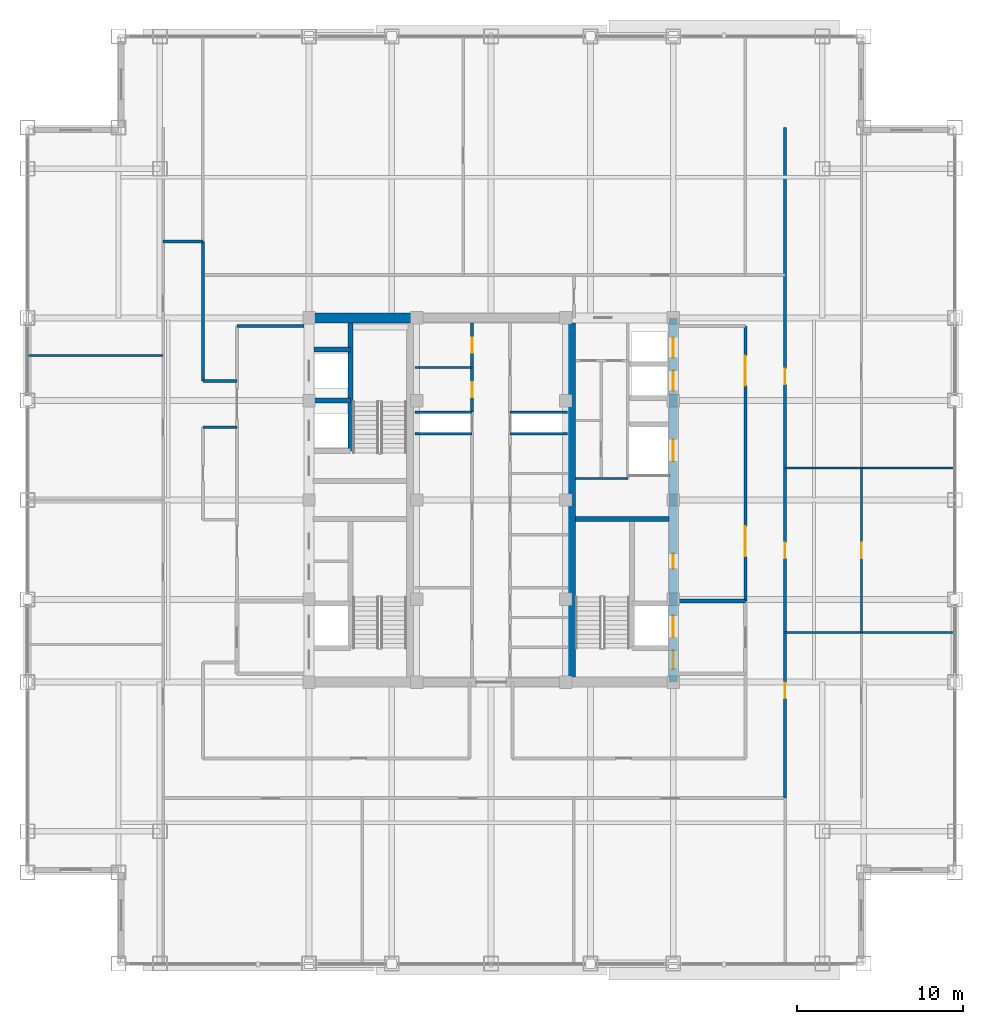
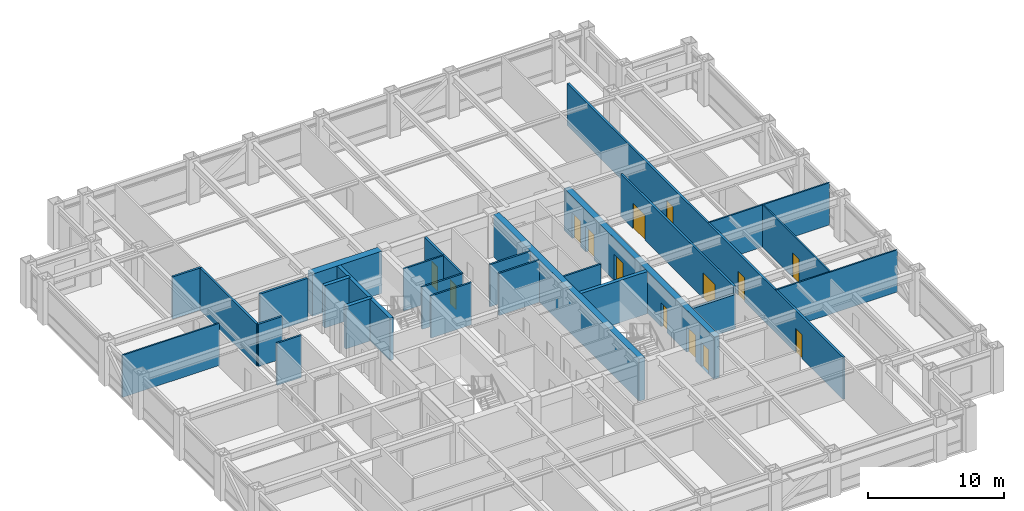
# One storey, part 20 of 27: 26 walls, 14 doors, 14 openings.
"""IFC4 building model written with IfcOpenShell, lengths in metres."""

from ifc_helpers import new_model, si_unit, direction, frame, frame_2d, origin, place, context, subcontext, project, spatial, rectangle, extrude, source, transform, mapped, material, layer, layer_set, type_object, element, fill, save


model = new_model("IFC4")

# Units and contexts
model_context = context("Model", 3, precision=1e-05, world=origin(), true_north=direction((0.0, 1.0)))
body_context = subcontext(model_context, "Body", "Model", "MODEL_VIEW")
ifc_project = project(units=[si_unit("LENGTHUNIT", "METRE"), si_unit("AREAUNIT", "SQUARE_METRE"), si_unit("VOLUMEUNIT", "CUBIC_METRE"), si_unit("PLANEANGLEUNIT", "RADIAN"), si_unit("MASSUNIT", "GRAM", prefix="KILO")], contexts=[model_context])

# Site, building, storey
site_placement = place(None, origin())
site = spatial("IfcSite", under=ifc_project, at=site_placement, CompositionType="ELEMENT")
building_placement = place(site_placement, origin())
building = spatial("IfcBuilding", under=site, at=building_placement, Name="Khorayat Bourse Tower", CompositionType="ELEMENT")
storey_placement = place(building_placement, frame((0.0, 0.0, 313.5)))
storey = spatial("IfcBuildingStorey", under=building, at=storey_placement, Name="L74", CompositionType="ELEMENT", Elevation=313.5)

# Wall, openings, doors
ifc_material_1 = material(Name="Concrete C52/65", Category="concrete")
ifc_layer_1 = layer(ifc_material_1, 0.5)
ifc_layer_set_1 = layer_set([ifc_layer_1], Name="Concrete C52/65")
wall_type_1 = type_object("IfcWallType", Name="WAL-CORE-500", PredefinedType="SHEAR", material=ifc_layer_set_1)
shared_shape_1 = source(origin(), body_context, "Body", "SweptSolid", [
    extrude(rectangle(XDim=22.0, YDim=0.5, at=frame_2d((11.0, 0.0))), origin(), (0.0, 0.0, 1.0), 3.780029296875),
])
wall_1_placement = place(storey_placement, frame((11.0, -11.0, 0.0), z_axis=(0.0, 0.0, 1.0), x_axis=(0.0, 1.0, 0.0)))
wall_1 = element("IfcWall", 1, at=wall_1_placement, inside=storey, type_object=wall_type_1, Name="L74 Core Shear Wall CORE-E", PredefinedType="SHEAR", context=body_context, shape_type="MappedRepresentation", body=[
    mapped(shared_shape_1, transform((0.0, 0.0, 0.0), scale=1.0)),
])
shared_shape_2 = source(origin(), body_context, "Body", "SweptSolid", [
    extrude(rectangle(XDim=1.10009765625, YDim=2.199951171875, at=frame_2d((0.550048828125, 1.10009765625))), frame((0.0, 0.260009765625, 0.0), z_axis=(0.0, -1.0, 0.0), x_axis=(1.0, 0.0, 0.0)), (0.0, 0.0, 1.0), 0.52001953125),
])
opening_1_placement = place(wall_1_placement, frame((0.800048828125, 0.0, 0.0)))
opening_1 = element("IfcOpeningElement", 2, at=opening_1_placement, cuts=wall_1, Name="Opening DI-01", PredefinedType="OPENING", context=body_context, shape_type="MappedRepresentation", body=[
    mapped(shared_shape_2, transform((0.0, 0.0, 0.0), scale=1.0)),
])
shared_shape_3 = source(origin(), body_context, "Body", "SweptSolid", [
    extrude(rectangle(XDim=0.89990234375, YDim=2.14990234375, at=frame_2d((0.449951171875, 1.074951171875))), frame((0.0, 0.260009765625, 0.0), z_axis=(0.0, -1.0, 0.0), x_axis=(1.0, 0.0, 0.0)), (0.0, 0.0, 1.0), 0.52001953125),
])
opening_2_placement = place(wall_1_placement, frame((6.85009765625, 0.0, 0.0)))
opening_2 = element("IfcOpeningElement", 3, at=opening_2_placement, cuts=wall_1, Name="Opening DI-06", PredefinedType="OPENING", context=body_context, shape_type="MappedRepresentation", body=[
    mapped(shared_shape_3, transform((0.0, 0.0, 0.0), scale=1.0)),
])
shared_shape_4 = source(origin(), body_context, "Body", "SweptSolid", [
    extrude(rectangle(XDim=1.199951171875, YDim=2.300048828125, at=frame_2d((0.60009765625, 1.14990234375))), frame((0.0, 0.260009765625, 0.0), z_axis=(0.0, -1.0, 0.0), x_axis=(1.0, 0.0, 0.0)), (0.0, 0.0, 1.0), 0.52001953125),
])
opening_3_placement = place(wall_1_placement, frame((17.60009765625, 0.0, 0.0)))
opening_3 = element("IfcOpeningElement", 4, at=opening_3_placement, cuts=wall_1, Name="Opening LD-01", PredefinedType="OPENING", context=body_context, shape_type="MappedRepresentation", body=[
    mapped(shared_shape_4, transform((0.0, 0.0, 0.0), scale=1.0)),
])
opening_4_placement = place(wall_1_placement, frame((19.60009765625, 0.0, 0.0)))
opening_4 = element("IfcOpeningElement", 5, at=opening_4_placement, cuts=wall_1, Name="Opening LD-01", PredefinedType="OPENING", context=body_context, shape_type="MappedRepresentation", body=[
    mapped(shared_shape_4, transform((0.0, 0.0, 0.0), scale=1.0)),
])
shared_shape_5 = source(origin(), body_context, "Body", "SweptSolid", [
    extrude(rectangle(XDim=1.300048828125, YDim=2.300048828125, at=frame_2d((0.64990234375, 1.14990234375))), frame((0.0, 0.260009765625, 0.0), z_axis=(0.0, -1.0, 0.0), x_axis=(1.0, 0.0, 0.0)), (0.0, 0.0, 1.0), 0.52001953125),
])
opening_5_placement = place(wall_1_placement, frame((2.699951171875, 0.0, 0.0)))
opening_5 = element("IfcOpeningElement", 6, at=opening_5_placement, cuts=wall_1, Name="Opening LD-02", PredefinedType="OPENING", context=body_context, shape_type="MappedRepresentation", body=[
    mapped(shared_shape_5, transform((0.0, 0.0, 0.0), scale=1.0)),
])
opening_6_placement = place(wall_1_placement, frame((13.35009765625, 0.0, 0.0)))
opening_6 = element("IfcOpeningElement", 7, at=opening_6_placement, cuts=wall_1, Name="Opening LD-02", PredefinedType="OPENING", context=body_context, shape_type="MappedRepresentation", body=[
    mapped(shared_shape_5, transform((0.0, 0.0, 0.0), scale=1.0)),
])
ifc_material_2 = material(Name="Fire-rated steel acoustic leaf", Category="steel")
door_type_1 = type_object("IfcDoorType", Name="DR-INT-STAIR-1100", OperationType="NOTDEFINED", PredefinedType="DOOR", material=ifc_material_2)
shared_shape_6 = source(origin(), body_context, "Body", "SweptSolid", [
    extrude(rectangle(XDim=1.10009765625, YDim=2.199951171875, at=frame_2d((0.550048828125, 1.10009765625))), frame((0.0, 0.02490234375, 0.0), z_axis=(0.0, -1.0, 0.0), x_axis=(1.0, 0.0, 0.0)), (0.0, 0.0, 1.0), 0.050048828125),
])
door_1_placement = place(opening_1_placement, origin())
door_1 = element("IfcDoor", 8, at=door_1_placement, inside=storey, type_object=door_type_1, Name="L74 Exit Stair 3 Door", OperationType="SINGLE_SWING_LEFT", OverallHeight=2.199951171875, OverallWidth=1.10009765625, PredefinedType="DOOR", context=body_context, shape_type="MappedRepresentation", body=[
    mapped(shared_shape_6, transform((0.0, 0.0, 0.0), scale=1.0)),
])
fill(opening_1, door_1)
ifc_material_3 = material(Name="Moisture-resistant laminate washroom door")
door_type_2 = type_object("IfcDoorType", Name="DR-INT-WC-900", OperationType="NOTDEFINED", PredefinedType="DOOR", material=ifc_material_3)
shared_shape_7 = source(origin(), body_context, "Body", "SweptSolid", [
    extrude(rectangle(XDim=0.89990234375, YDim=2.14990234375, at=frame_2d((0.449951171875, 1.074951171875))), frame((0.0, 0.02490234375, 0.0), z_axis=(0.0, -1.0, 0.0), x_axis=(1.0, 0.0, 0.0)), (0.0, 0.0, 1.0), 0.050048828125),
])
door_2_placement = place(opening_2_placement, origin())
door_2 = element("IfcDoor", 9, at=door_2_placement, inside=storey, type_object=door_type_2, Name="L74 Telecom Server Plant Room Door", OperationType="SINGLE_SWING_LEFT", OverallHeight=2.14990234375, OverallWidth=0.89990234375, PredefinedType="DOOR", context=body_context, shape_type="MappedRepresentation", body=[
    mapped(shared_shape_7, transform((0.0, 0.0, 0.0), scale=1.0)),
])
fill(opening_2, door_2)
ifc_material_4 = material(Name="Brushed bronze stainless-steel sliding door", Category="steel")
door_type_3 = type_object("IfcDoorType", Name="DR-LIFT-PASS-1200", OperationType="NOTDEFINED", PredefinedType="DOOR", material=ifc_material_4)
shared_shape_8 = source(origin(), body_context, "Body", "SweptSolid", [
    extrude(rectangle(XDim=1.199951171875, YDim=2.300048828125, at=frame_2d((0.60009765625, 1.14990234375))), frame((0.0, 0.02490234375, 0.0), z_axis=(0.0, -1.0, 0.0), x_axis=(1.0, 0.0, 0.0)), (0.0, 0.0, 1.0), 0.050048828125),
])
door_3_placement = place(opening_3_placement, origin())
door_3 = element("IfcDoor", 10, at=door_3_placement, inside=storey, type_object=door_type_3, Name="L74 Lift PL-H3 Sliding Landing Door", OperationType="SLIDING_TO_LEFT", OverallHeight=2.300048828125, OverallWidth=1.199951171875, PredefinedType="DOOR", context=body_context, shape_type="MappedRepresentation", body=[
    mapped(shared_shape_8, transform((0.0, 0.0, 0.0), scale=1.0)),
])
fill(opening_3, door_3)
door_4_placement = place(opening_4_placement, origin())
door_4 = element("IfcDoor", 11, at=door_4_placement, inside=storey, type_object=door_type_3, Name="L74 Lift PL-H4 Sliding Landing Door", OperationType="SLIDING_TO_LEFT", OverallHeight=2.300048828125, OverallWidth=1.199951171875, PredefinedType="DOOR", context=body_context, shape_type="MappedRepresentation", body=[
    mapped(shared_shape_8, transform((0.0, 0.0, 0.0), scale=1.0)),
])
fill(opening_4, door_4)
ifc_material_5 = material(Name="Fire-rated stainless-steel sliding landing door", Category="steel")
door_type_4 = type_object("IfcDoorType", Name="DR-LIFT-FF-1300", OperationType="NOTDEFINED", PredefinedType="DOOR", material=ifc_material_5)
shared_shape_9 = source(origin(), body_context, "Body", "SweptSolid", [
    extrude(rectangle(XDim=1.300048828125, YDim=2.300048828125, at=frame_2d((0.64990234375, 1.14990234375))), frame((0.0, 0.02490234375, 0.0), z_axis=(0.0, -1.0, 0.0), x_axis=(1.0, 0.0, 0.0)), (0.0, 0.0, 1.0), 0.050048828125),
])
door_5_placement = place(opening_5_placement, origin())
door_5 = element("IfcDoor", 12, at=door_5_placement, inside=storey, type_object=door_type_4, Name="L74 Lift FFL-02 Sliding Landing Door", OperationType="SLIDING_TO_LEFT", OverallHeight=2.300048828125, OverallWidth=1.300048828125, PredefinedType="DOOR", context=body_context, shape_type="MappedRepresentation", body=[
    mapped(shared_shape_9, transform((0.0, 0.0, 0.0), scale=1.0)),
])
fill(opening_5, door_5)
door_6_placement = place(opening_6_placement, origin())
door_6 = element("IfcDoor", 13, at=door_6_placement, inside=storey, type_object=door_type_4, Name="L74 Lift SVL-01 Sliding Landing Door", OperationType="SLIDING_TO_LEFT", OverallHeight=2.300048828125, OverallWidth=1.300048828125, PredefinedType="DOOR", context=body_context, shape_type="MappedRepresentation", body=[
    mapped(shared_shape_9, transform((0.0, 0.0, 0.0), scale=1.0)),
])
fill(opening_6, door_6)

# Walls
shared_shape_10 = source(origin(), body_context, "Body", "SweptSolid", [
    extrude(rectangle(XDim=21.39990234375, YDim=0.5, at=frame_2d((10.699951171875, 0.0))), origin(), (0.0, 0.0, 1.0), 3.780029296875),
])
wall_2_placement = place(storey_placement, frame((4.85009765625, -10.699951171875, 0.0), z_axis=(0.0, 0.0, 1.0), x_axis=(0.0, 1.0, 0.0)))
element("IfcWall", 14, at=wall_2_placement, inside=storey, type_object=wall_type_1, Name="L74 Core Shear Wall PIER-E", PredefinedType="SHEAR", context=body_context, shape_type="MappedRepresentation", body=[
    mapped(shared_shape_10, transform((0.0, 0.0, 0.0), scale=1.0)),
])
ifc_material_6 = material(Name="Concrete C60/75", Category="concrete")
ifc_layer_2 = layer(ifc_material_6, 0.60009765625)
ifc_layer_set_2 = layer_set([ifc_layer_2], Name="Concrete C60/75")
wall_type_2 = type_object("IfcWallType", Name="WAL-CORE-600", PredefinedType="SHEAR", material=ifc_layer_set_2)
shared_shape_11 = source(origin(), body_context, "Body", "SweptSolid", [
    extrude(rectangle(XDim=5.89990234375, YDim=0.60009765625, at=frame_2d((2.949951171875, 0.0))), origin(), (0.0, 0.0, 1.0), 3.780029296875),
])
wall_3_placement = place(storey_placement, frame((-10.75, 11.0, 0.0), z_axis=(0.0, 0.0, 1.0), x_axis=(1.0, 0.0, 0.0)))
element("IfcWall", 15, at=wall_3_placement, inside=storey, type_object=wall_type_2, Name="L74 Core Shear Wall PIER-WN", PredefinedType="SHEAR", context=body_context, shape_type="MappedRepresentation", body=[
    mapped(shared_shape_11, transform((0.0, 0.0, 0.0), scale=1.0)),
])
ifc_material_7 = material(Name="Concrete C50/60", Category="concrete")
ifc_layer_3 = layer(ifc_material_7, 0.300048828125)
ifc_layer_set_3 = layer_set([ifc_layer_3], Name="Concrete C50/60")
wall_type_3 = type_object("IfcWallType", Name="WAL-SHAFT-300", PredefinedType="SHEAR", material=ifc_layer_set_3)
shared_shape_12 = source(origin(), body_context, "Body", "SweptSolid", [
    extrude(rectangle(XDim=5.64990234375, YDim=0.300048828125, at=frame_2d((2.824951171875, 0.0))), origin(), (0.0, 0.0, 1.0), 3.780029296875),
])
wall_4_placement = place(storey_placement, frame((5.10009765625, -1.14990234375, 0.0), z_axis=(0.0, 0.0, 1.0), x_axis=(1.0, 0.0, 0.0)))
element("IfcWall", 16, at=wall_4_placement, inside=storey, type_object=wall_type_3, Name="L74 Core Shear Wall ST3-DIV", PredefinedType="SHEAR", context=body_context, shape_type="MappedRepresentation", body=[
    mapped(shared_shape_12, transform((0.0, 0.0, 0.0), scale=1.0)),
])
ifc_material_8 = material(Name="Aerated concrete blockwork", Category="masonry")
ifc_layer_4 = layer(ifc_material_8, 0.219970703125)
ifc_layer_set_4 = layer_set([ifc_layer_4], Name="Aerated concrete blockwork")
wall_type_4 = type_object("IfcWallType", Name="WAL-PART-FF-220", PredefinedType="PARTITIONING", material=ifc_layer_set_4)
shared_shape_13 = source(origin(), body_context, "Body", "SweptSolid", [
    extrude(rectangle(XDim=4.050048828125, YDim=0.219970703125, at=frame_2d((2.02490234375, 0.0))), origin(), (0.0, 0.0, 1.0), 3.0849609375),
])
wall_5_placement = place(storey_placement, frame((11.300048828125, -6.10009765625, 0.0), z_axis=(0.0, 0.0, 1.0), x_axis=(1.0, 0.0, 0.0)))
element("IfcWall", 17, at=wall_5_placement, inside=storey, type_object=wall_type_4, Name="L74 Partition WAL-L74-FFLE-N", PredefinedType="PARTITIONING", context=body_context, shape_type="MappedRepresentation", body=[
    mapped(shared_shape_13, transform((0.0, 0.0, 0.0), scale=1.0)),
])
shared_shape_14 = source(origin(), body_context, "Body", "SweptSolid", [
    extrude(rectangle(XDim=2.199951171875, YDim=0.300048828125, at=frame_2d((1.10009765625, 0.0))), origin(), (0.0, 0.0, 1.0), 3.780029296875),
])
for number, where, z_axis, x_axis, name in (
    (18, (-10.699951171875, 6.0, 0.0), (0.0, 0.0, 1.0), (1.0, 0.0, 0.0), "L74 Partition WAL-L74-WPIER-H12"),
    (19, (-10.699951171875, 9.10009765625, 0.0), (0.0, 0.0, 1.0), (1.0, 0.0, 0.0), "L74 Partition WAL-L74-WPIER-H2N"),
):
    element("IfcWall", number, at=place(storey_placement, frame(where, z_axis=z_axis, x_axis=x_axis)), inside=storey, type_object=wall_type_3, Name=name, PredefinedType="SHEAR", context=body_context, shape_type="MappedRepresentation", body=[
        mapped(shared_shape_14, transform((0.0, 0.0, 0.0), scale=1.0)),
    ])
shared_shape_15 = source(origin(), body_context, "Body", "SweptSolid", [
    extrude(rectangle(XDim=7.75, YDim=0.300048828125, at=frame_2d((3.875, 0.0))), origin(), (0.0, 0.0, 1.0), 3.780029296875),
])
wall_6_placement = place(storey_placement, frame((-8.5, 2.949951171875, 0.0), z_axis=(0.0, 0.0, 1.0), x_axis=(0.0, 1.0, 0.0)))
element("IfcWall", 20, at=wall_6_placement, inside=storey, type_object=wall_type_3, Name="L74 Partition WAL-L74-WPIER-ST2S", PredefinedType="SHEAR", context=body_context, shape_type="MappedRepresentation", body=[
    mapped(shared_shape_15, transform((0.0, 0.0, 0.0), scale=1.0)),
])
ifc_material_9 = material(Name="Moisture-resistant masonry partition", Category="masonry")
ifc_layer_5 = layer(ifc_material_9, 0.139892578125)
ifc_layer_set_5 = layer_set([ifc_layer_5], Name="Moisture-resistant masonry partition")
wall_type_5 = type_object("IfcWallType", Name="WAL-PART-WET-140", PredefinedType="PARTITIONING", material=ifc_layer_set_5)
shared_shape_16 = source(origin(), body_context, "Body", "SweptSolid", [
    extrude(rectangle(XDim=3.14990234375, YDim=0.139892578125, at=frame_2d((1.574951171875, 0.0))), origin(), (0.0, 0.0, 1.0), 3.780029296875),
])
wall_7_placement = place(storey_placement, frame((5.10009765625, 1.300048828125, 0.0), z_axis=(0.0, 0.0, 1.0), x_axis=(1.0, 0.0, 0.0)))
element("IfcWall", 21, at=wall_7_placement, inside=storey, type_object=wall_type_5, Name="L74 Partition WAL-L74-ECORE-S", PredefinedType="PARTITIONING", context=body_context, shape_type="MappedRepresentation", body=[
    mapped(shared_shape_16, transform((0.0, 0.0, 0.0), scale=1.0)),
])
ifc_material_10 = material(Name="Gypsum plasterboard acoustic stud wall")
ifc_layer_6 = layer(ifc_material_10, 0.179931640625)
ifc_layer_set_6 = layer_set([ifc_layer_6], Name="Gypsum plasterboard acoustic stud wall")
wall_type_6 = type_object("IfcWallType", Name="WAL-PART-CORR-180", PredefinedType="PARTITIONING", material=ifc_layer_set_6)
shared_shape_17 = source(origin(), body_context, "Body", "SweptSolid", [
    extrude(rectangle(XDim=4.050048828125, YDim=0.179931640625, at=frame_2d((2.02490234375, 0.0))), origin(), (0.0, 0.0, 1.0), 3.780029296875),
])
wall_8_placement = place(storey_placement, frame((-15.35009765625, 10.5, 0.0), z_axis=(0.0, 0.0, 1.0), x_axis=(1.0, 0.0, 0.0)))
element("IfcWall", 22, at=wall_8_placement, inside=storey, type_object=wall_type_6, Name="L74 Partition WAL-L74-WLOB-N", PredefinedType="PARTITIONING", context=body_context, shape_type="MappedRepresentation", body=[
    mapped(shared_shape_17, transform((0.0, 0.0, 0.0), scale=1.0)),
])

# Wall, openings, doors
shared_shape_18 = source(origin(), body_context, "Body", "SweptSolid", [
    extrude(rectangle(XDim=16.60009765625, YDim=0.179931640625, at=frame_2d((8.300048828125, 0.0))), origin(), (0.0, 0.0, 1.0), 3.780029296875),
])
wall_9_placement = place(storey_placement, frame((15.35009765625, -6.10009765625, 0.0), z_axis=(0.0, 0.0, 1.0), x_axis=(0.0, 1.0, 0.0)))
wall_9 = element("IfcWall", 23, at=wall_9_placement, inside=storey, type_object=wall_type_6, Name="L74 Partition WAL-L74-ELOB-E", PredefinedType="PARTITIONING", context=body_context, shape_type="MappedRepresentation", body=[
    mapped(shared_shape_18, transform((0.0, 0.0, 0.0), scale=1.0)),
])
shared_shape_19 = source(origin(), body_context, "Body", "SweptSolid", [
    extrude(rectangle(XDim=1.800048828125, YDim=2.25, at=frame_2d((0.89990234375, 1.125))), frame((0.0, 0.099853515625, 0.0), z_axis=(0.0, -1.0, 0.0), x_axis=(1.0, 0.0, 0.0)), (0.0, 0.0, 1.0), 0.199951171875),
])
opening_7_placement = place(wall_9_placement, frame((2.699951171875, 0.0, 0.0)))
opening_7 = element("IfcOpeningElement", 24, at=opening_7_placement, cuts=wall_9, Name="Opening DI-03", PredefinedType="OPENING", context=body_context, shape_type="MappedRepresentation", body=[
    mapped(shared_shape_19, transform((0.0, 0.0, 0.0), scale=1.0)),
])
opening_8_placement = place(wall_9_placement, frame((13.0, 0.0, 0.0)))
opening_8 = element("IfcOpeningElement", 25, at=opening_8_placement, cuts=wall_9, Name="Opening DI-03", PredefinedType="OPENING", context=body_context, shape_type="MappedRepresentation", body=[
    mapped(shared_shape_19, transform((0.0, 0.0, 0.0), scale=1.0)),
])
ifc_material_11 = material(Name="Fire-rated hardwood vision-panel double leaf", Category="wood")
door_type_5 = type_object("IfcDoorType", Name="DR-INT-CORR-1800", OperationType="NOTDEFINED", PredefinedType="DOOR", material=ifc_material_11)
shared_shape_20 = source(origin(), body_context, "Body", "SweptSolid", [
    extrude(rectangle(XDim=1.800048828125, YDim=2.25, at=frame_2d((0.89990234375, 1.125))), frame((0.0, 0.02490234375, 0.0), z_axis=(0.0, -1.0, 0.0), x_axis=(1.0, 0.0, 0.0)), (0.0, 0.0, 1.0), 0.050048828125),
])
door_7_placement = place(opening_7_placement, origin())
door_7 = element("IfcDoor", 26, at=door_7_placement, inside=storey, type_object=door_type_5, Name="L74 East Core Lobby South Door", OperationType="SINGLE_SWING_RIGHT", OverallHeight=2.25, OverallWidth=1.800048828125, PredefinedType="DOOR", context=body_context, shape_type="MappedRepresentation", body=[
    mapped(shared_shape_20, transform((0.0, 0.0, 0.0), scale=1.0)),
])
fill(opening_7, door_7)
door_8_placement = place(opening_8_placement, origin())
door_8 = element("IfcDoor", 27, at=door_8_placement, inside=storey, type_object=door_type_5, Name="L74 East Core Lobby North Door", OperationType="SINGLE_SWING_LEFT", OverallHeight=2.25, OverallWidth=1.800048828125, PredefinedType="DOOR", context=body_context, shape_type="MappedRepresentation", body=[
    mapped(shared_shape_20, transform((0.0, 0.0, 0.0), scale=1.0)),
])
fill(opening_8, door_8)

# Walls
ifc_material_12 = material(Name="Gypsum plasterboard twin-frame partition")
ifc_layer_7 = layer(ifc_material_12, 0.14990234375)
ifc_layer_set_7 = layer_set([ifc_layer_7], Name="Gypsum plasterboard twin-frame partition")
wall_type_7 = type_object("IfcWallType", Name="WAL-PART-SUITE-150", PredefinedType="PARTITIONING", material=ifc_layer_set_7)
shared_shape_21 = source(origin(), body_context, "Body", "SweptSolid", [
    extrude(rectangle(XDim=3.4501953125, YDim=0.14990234375, at=frame_2d((1.72509765625, 0.0))), origin(), (0.0, 0.0, 1.0), 3.780029296875),
])
for number, where, z_axis, x_axis, name in (
    (28, (-4.60009765625, 4.0, 0.0), (0.0, 0.0, 1.0), (1.0, 0.0, 0.0), "L74 Partition WAL-L74-CRSW-S"),
    (29, (1.14990234375, 4.0, 0.0), (0.0, 0.0, 1.0), (1.0, 0.0, 0.0), "L74 Partition WAL-L74-CRSE-S"),
    (30, (-4.60009765625, 5.300048828125, 0.0), (0.0, 0.0, 1.0), (1.0, 0.0, 0.0), "L74 Partition WAL-L74-FB2-SW"),
    (31, (1.14990234375, 5.300048828125, 0.0), (0.0, 0.0, 1.0), (1.0, 0.0, 0.0), "L74 Partition WAL-L74-FB2-SE"),
):
    element("IfcWall", number, at=place(storey_placement, frame(where, z_axis=z_axis, x_axis=x_axis)), inside=storey, type_object=wall_type_7, Name=name, PredefinedType="PARTITIONING", context=body_context, shape_type="MappedRepresentation", body=[
        mapped(shared_shape_21, transform((0.0, 0.0, 0.0), scale=1.0)),
    ])

# Wall, openings, doors
shared_shape_22 = source(origin(), body_context, "Body", "SweptSolid", [
    extrude(rectangle(XDim=5.39990234375, YDim=0.179931640625, at=frame_2d((2.699951171875, 0.0))), origin(), (0.0, 0.0, 1.0), 3.780029296875),
])
wall_10_placement = place(storey_placement, frame((-1.14990234375, 5.300048828125, 0.0), z_axis=(0.0, 0.0, 1.0), x_axis=(0.0, 1.0, 0.0)))
wall_10 = element("IfcWall", 32, at=wall_10_placement, inside=storey, type_object=wall_type_6, Name="L74 Partition WAL-L74-FB2W-L", PredefinedType="PARTITIONING", context=body_context, shape_type="MappedRepresentation", body=[
    mapped(shared_shape_22, transform((0.0, 0.0, 0.0), scale=1.0)),
])
shared_shape_23 = source(origin(), body_context, "Body", "SweptSolid", [
    extrude(rectangle(XDim=0.89990234375, YDim=2.14990234375, at=frame_2d((0.449951171875, 1.074951171875))), frame((0.0, 0.099853515625, 0.0), z_axis=(0.0, -1.0, 0.0), x_axis=(1.0, 0.0, 0.0)), (0.0, 0.0, 1.0), 0.199951171875),
])
opening_9_placement = place(wall_10_placement, frame((0.89990234375, 0.0, 0.0)))
opening_9 = element("IfcOpeningElement", 33, at=opening_9_placement, cuts=wall_10, Name="Opening DI-06", PredefinedType="OPENING", context=body_context, shape_type="MappedRepresentation", body=[
    mapped(shared_shape_23, transform((0.0, 0.0, 0.0), scale=1.0)),
])
opening_10_placement = place(wall_10_placement, frame((3.60009765625, 0.0, 0.0)))
opening_10 = element("IfcOpeningElement", 34, at=opening_10_placement, cuts=wall_10, Name="Opening DI-06", PredefinedType="OPENING", context=body_context, shape_type="MappedRepresentation", body=[
    mapped(shared_shape_23, transform((0.0, 0.0, 0.0), scale=1.0)),
])
door_9_placement = place(opening_9_placement, origin())
door_9 = element("IfcDoor", 35, at=door_9_placement, inside=storey, type_object=door_type_2, Name="L74 BMS Server Plant Room Door", OperationType="SINGLE_SWING_RIGHT", OverallHeight=2.14990234375, OverallWidth=0.89990234375, PredefinedType="DOOR", context=body_context, shape_type="MappedRepresentation", body=[
    mapped(shared_shape_7, transform((0.0, 0.0, 0.0), scale=1.0)),
])
fill(opening_9, door_9)
door_10_placement = place(opening_10_placement, origin())
door_10 = element("IfcDoor", 36, at=door_10_placement, inside=storey, type_object=door_type_2, Name="L74 Executive Supply Store Door", OperationType="SINGLE_SWING_LEFT", OverallHeight=2.14990234375, OverallWidth=0.89990234375, PredefinedType="DOOR", context=body_context, shape_type="MappedRepresentation", body=[
    mapped(shared_shape_7, transform((0.0, 0.0, 0.0), scale=1.0)),
])
fill(opening_10, door_10)

# Walls
shared_shape_24 = source(origin(), body_context, "Body", "SweptSolid", [
    extrude(rectangle(XDim=3.4501953125, YDim=0.139892578125, at=frame_2d((1.72509765625, 0.0))), origin(), (0.0, 0.0, 1.0), 3.780029296875),
])
wall_11_placement = place(storey_placement, frame((-4.60009765625, 8.0, 0.0), z_axis=(0.0, 0.0, 1.0), x_axis=(1.0, 0.0, 0.0)))
element("IfcWall", 37, at=wall_11_placement, inside=storey, type_object=wall_type_5, Name="L74 Partition WAL-L74-FB2W-D1", PredefinedType="PARTITIONING", context=body_context, shape_type="MappedRepresentation", body=[
    mapped(shared_shape_24, transform((0.0, 0.0, 0.0), scale=1.0)),
])
shared_shape_25 = source(origin(), body_context, "Body", "SweptSolid", [
    extrude(rectangle(XDim=2.0498046875, YDim=0.14990234375, at=frame_2d((1.02490234375, 0.0))), origin(), (0.0, 0.0, 1.0), 3.780029296875),
])
wall_12_placement = place(storey_placement, frame((-17.39990234375, 4.39990234375, 0.0), z_axis=(0.0, 0.0, 1.0), x_axis=(1.0, 0.0, 0.0)))
element("IfcWall", 38, at=wall_12_placement, inside=storey, type_object=wall_type_7, Name="L74 Partition WAL-L74-PKWM-N", PredefinedType="PARTITIONING", context=body_context, shape_type="MappedRepresentation", body=[
    mapped(shared_shape_25, transform((0.0, 0.0, 0.0), scale=1.0)),
])
shared_shape_26 = source(origin(), body_context, "Body", "SweptSolid", [
    extrude(rectangle(XDim=2.0498046875, YDim=0.179931640625, at=frame_2d((1.02490234375, 0.0))), origin(), (0.0, 0.0, 1.0), 3.780029296875),
])
wall_13_placement = place(storey_placement, frame((-17.39990234375, 7.199951171875, 0.0), z_axis=(0.0, 0.0, 1.0), x_axis=(1.0, 0.0, 0.0)))
element("IfcWall", 39, at=wall_13_placement, inside=storey, type_object=wall_type_6, Name="L74 Partition WAL-L74-THRWN-T", PredefinedType="PARTITIONING", context=body_context, shape_type="MappedRepresentation", body=[
    mapped(shared_shape_26, transform((0.0, 0.0, 0.0), scale=1.0)),
])
shared_shape_27 = source(origin(), body_context, "Body", "SweptSolid", [
    extrude(rectangle(XDim=8.400146484375, YDim=0.179931640625, at=frame_2d((4.2001953125, 0.0))), origin(), (0.0, 0.0, 1.0), 3.780029296875),
])
wall_14_placement = place(storey_placement, frame((-17.39990234375, 7.199951171875, 0.0), z_axis=(0.0, 0.0, 1.0), x_axis=(0.0, 1.0, 0.0)))
element("IfcWall", 40, at=wall_14_placement, inside=storey, type_object=wall_type_6, Name="L74 Partition WAL-L74-THRWN-N", PredefinedType="PARTITIONING", context=body_context, shape_type="MappedRepresentation", body=[
    mapped(shared_shape_27, transform((0.0, 0.0, 0.0), scale=1.0)),
])
shared_shape_28 = source(origin(), body_context, "Body", "SweptSolid", [
    extrude(rectangle(XDim=2.400146484375, YDim=0.179931640625, at=frame_2d((1.2001953125, 0.0))), origin(), (0.0, 0.0, 1.0), 3.780029296875),
])
wall_15_placement = place(storey_placement, frame((-19.800048828125, 15.60009765625, 0.0), z_axis=(0.0, 0.0, 1.0), x_axis=(1.0, 0.0, 0.0)))
element("IfcWall", 41, at=wall_15_placement, inside=storey, type_object=wall_type_6, Name="L74 Partition WAL-L74-GALW-N", PredefinedType="PARTITIONING", context=body_context, shape_type="MappedRepresentation", body=[
    mapped(shared_shape_28, transform((0.0, 0.0, 0.0), scale=1.0)),
])
ifc_material_13 = material(Name="Gypsum plasterboard partition")
ifc_layer_8 = layer(ifc_material_13, 0.125)
ifc_layer_set_8 = layer_set([ifc_layer_8], Name="Gypsum plasterboard partition")
wall_type_8 = type_object("IfcWallType", Name="WAL-PART-ROOM-125", PredefinedType="PARTITIONING", material=ifc_layer_set_8)
shared_shape_29 = source(origin(), body_context, "Body", "SweptSolid", [
    extrude(rectangle(XDim=8.199951171875, YDim=0.125, at=frame_2d((4.10009765625, 0.0))), origin(), (0.0, 0.0, 1.0), 3.780029296875),
])
wall_16_placement = place(storey_placement, frame((-28.0, 8.736083984375, 0.0), z_axis=(0.0, 0.0, 1.0), x_axis=(1.0, 0.0, 0.0)))
element("IfcWall", 42, at=wall_16_placement, inside=storey, type_object=wall_type_8, Name="L74 Partition WAL-L74-WDV-3", PredefinedType="PARTITIONING", context=body_context, shape_type="MappedRepresentation", body=[
    mapped(shared_shape_29, transform((0.0, 0.0, 0.0), scale=1.0)),
])
shared_shape_30 = source(origin(), body_context, "Body", "SweptSolid", [
    extrude(rectangle(XDim=10.25, YDim=0.125, at=frame_2d((5.125, 0.0))), origin(), (0.0, 0.0, 1.0), 3.780029296875),
])
for number, where, z_axis, x_axis, name in (
    (43, (17.75, -8.008056640625, 0.0), (0.0, 0.0, 1.0), (1.0, 0.0, 0.0), "L74 Partition WAL-L74-EDV-1"),
    (44, (17.75, 1.919921875, 0.0), (0.0, 0.0, 1.0), (1.0, 0.0, 0.0), "L74 Partition WAL-L74-EDV-2"),
):
    element("IfcWall", number, at=place(storey_placement, frame(where, z_axis=z_axis, x_axis=x_axis)), inside=storey, type_object=wall_type_8, Name=name, PredefinedType="PARTITIONING", context=body_context, shape_type="MappedRepresentation", body=[
        mapped(shared_shape_30, transform((0.0, 0.0, 0.0), scale=1.0)),
    ])

# Wall, opening, door
shared_shape_31 = source(origin(), body_context, "Body", "SweptSolid", [
    extrude(rectangle(XDim=9.927978515625, YDim=0.125, at=frame_2d((4.9638671875, 0.0))), origin(), (0.0, 0.0, 1.0), 3.780029296875),
])
wall_17_placement = place(storey_placement, frame((22.362548828125, -8.008056640625, 0.0), z_axis=(0.0, 0.0, 1.0), x_axis=(0.0, 1.0, 0.0)))
wall_17 = element("IfcWall", 45, at=wall_17_placement, inside=storey, type_object=wall_type_8, Name="L74 Partition WAL-L74-EDP-2", PredefinedType="PARTITIONING", context=body_context, shape_type="MappedRepresentation", body=[
    mapped(shared_shape_31, transform((0.0, 0.0, 0.0), scale=1.0)),
])
shared_shape_32 = source(origin(), body_context, "Body", "SweptSolid", [
    extrude(rectangle(XDim=0.949951171875, YDim=2.14990234375, at=frame_2d((0.47509765625, 1.074951171875))), frame((0.0, 0.072509765625, 0.0), z_axis=(0.0, -1.0, 0.0), x_axis=(1.0, 0.0, 0.0)), (0.0, 0.0, 1.0), 0.14501953125),
])
opening_11_placement = place(wall_17_placement, frame((4.489013671875, 0.0, 0.0)))
opening_11 = element("IfcOpeningElement", 46, at=opening_11_placement, cuts=wall_17, Name="Opening DI-05", PredefinedType="OPENING", context=body_context, shape_type="MappedRepresentation", body=[
    mapped(shared_shape_32, transform((0.0, 0.0, 0.0), scale=1.0)),
])
ifc_material_14 = material(Name="Acoustic oak veneer office door")
door_type_6 = type_object("IfcDoorType", Name="DR-INT-OFFICE-950", OperationType="NOTDEFINED", PredefinedType="DOOR", material=ifc_material_14)
shared_shape_33 = source(origin(), body_context, "Body", "SweptSolid", [
    extrude(rectangle(XDim=0.949951171875, YDim=2.14990234375, at=frame_2d((0.47509765625, 1.074951171875))), frame((0.0, 0.02490234375, 0.0), z_axis=(0.0, -1.0, 0.0), x_axis=(1.0, 0.0, 0.0)), (0.0, 0.0, 1.0), 0.050048828125),
])
door_11_placement = place(opening_11_placement, origin())
door_11 = element("IfcDoor", 47, at=door_11_placement, inside=storey, type_object=door_type_6, Name="L74 Clearing Operations Office E2B Door", OperationType="SINGLE_SWING_LEFT", OverallHeight=2.14990234375, OverallWidth=0.949951171875, PredefinedType="DOOR", context=body_context, shape_type="MappedRepresentation", body=[
    mapped(shared_shape_33, transform((0.0, 0.0, 0.0), scale=1.0)),
])
fill(opening_11, door_11)

# Wall, openings, doors
shared_shape_34 = source(origin(), body_context, "Body", "SweptSolid", [
    extrude(rectangle(XDim=40.5, YDim=0.179931640625, at=frame_2d((20.25, 0.0))), origin(), (0.0, 0.0, 1.0), 3.780029296875),
])
wall_18_placement = place(storey_placement, frame((17.75, -18.0, 0.0), z_axis=(0.0, 0.0, 1.0), x_axis=(0.0, 1.0, 0.0)))
wall_18 = element("IfcWall", 48, at=wall_18_placement, inside=storey, type_object=wall_type_6, Name="L74 Partition WAL-L74-ECORR", PredefinedType="PARTITIONING", context=body_context, shape_type="MappedRepresentation", body=[
    mapped(shared_shape_34, transform((0.0, 0.0, 0.0), scale=1.0)),
])
shared_shape_35 = source(origin(), body_context, "Body", "SweptSolid", [
    extrude(rectangle(XDim=0.949951171875, YDim=2.14990234375, at=frame_2d((0.47509765625, 1.074951171875))), frame((0.0, 0.099853515625, 0.0), z_axis=(0.0, -1.0, 0.0), x_axis=(1.0, 0.0, 0.0)), (0.0, 0.0, 1.0), 0.199951171875),
])
opening_12_placement = place(wall_18_placement, frame((6.02099609375, 0.0, 0.0)))
opening_12 = element("IfcOpeningElement", 49, at=opening_12_placement, cuts=wall_18, Name="Opening DI-05", PredefinedType="OPENING", context=body_context, shape_type="MappedRepresentation", body=[
    mapped(shared_shape_35, transform((0.0, 0.0, 0.0), scale=1.0)),
])
opening_13_placement = place(wall_18_placement, frame((14.48095703125, 0.0, 0.0)))
opening_13 = element("IfcOpeningElement", 50, at=opening_13_placement, cuts=wall_18, Name="Opening DI-05", PredefinedType="OPENING", context=body_context, shape_type="MappedRepresentation", body=[
    mapped(shared_shape_35, transform((0.0, 0.0, 0.0), scale=1.0)),
])
opening_14_placement = place(wall_18_placement, frame((24.985107421875, 0.0, 0.0)))
opening_14 = element("IfcOpeningElement", 51, at=opening_14_placement, cuts=wall_18, Name="Opening DI-05", PredefinedType="OPENING", context=body_context, shape_type="MappedRepresentation", body=[
    mapped(shared_shape_35, transform((0.0, 0.0, 0.0), scale=1.0)),
])
door_12_placement = place(opening_12_placement, origin())
door_12 = element("IfcDoor", 52, at=door_12_placement, inside=storey, type_object=door_type_6, Name="L74 Quantitative Research Study E1 Door", OperationType="SINGLE_SWING_RIGHT", OverallHeight=2.14990234375, OverallWidth=0.949951171875, PredefinedType="DOOR", context=body_context, shape_type="MappedRepresentation", body=[
    mapped(shared_shape_33, transform((0.0, 0.0, 0.0), scale=1.0)),
])
fill(opening_12, door_12)
door_13_placement = place(opening_13_placement, origin())
door_13 = element("IfcDoor", 53, at=door_13_placement, inside=storey, type_object=door_type_6, Name="L74 Catering Servery Kitchen E2 Door", OperationType="SINGLE_SWING_LEFT", OverallHeight=2.14990234375, OverallWidth=0.949951171875, PredefinedType="DOOR", context=body_context, shape_type="MappedRepresentation", body=[
    mapped(shared_shape_33, transform((0.0, 0.0, 0.0), scale=1.0)),
])
fill(opening_13, door_13)
door_14_placement = place(opening_14_placement, origin())
door_14 = element("IfcDoor", 54, at=door_14_placement, inside=storey, type_object=door_type_6, Name="L74 Market Risk Analytics Workspace E3 Door", OperationType="SINGLE_SWING_RIGHT", OverallHeight=2.14990234375, OverallWidth=0.949951171875, PredefinedType="DOOR", context=body_context, shape_type="MappedRepresentation", body=[
    mapped(shared_shape_33, transform((0.0, 0.0, 0.0), scale=1.0)),
])
fill(opening_14, door_14)

save(model, "model.ifc")
